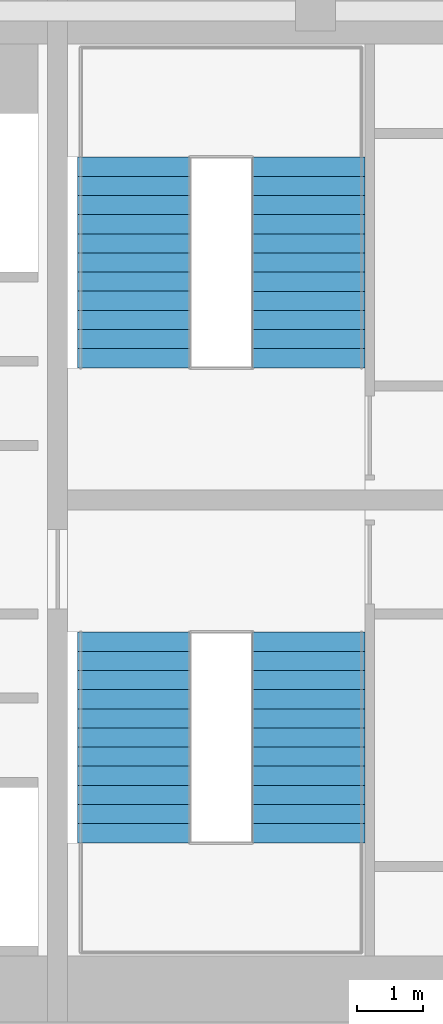
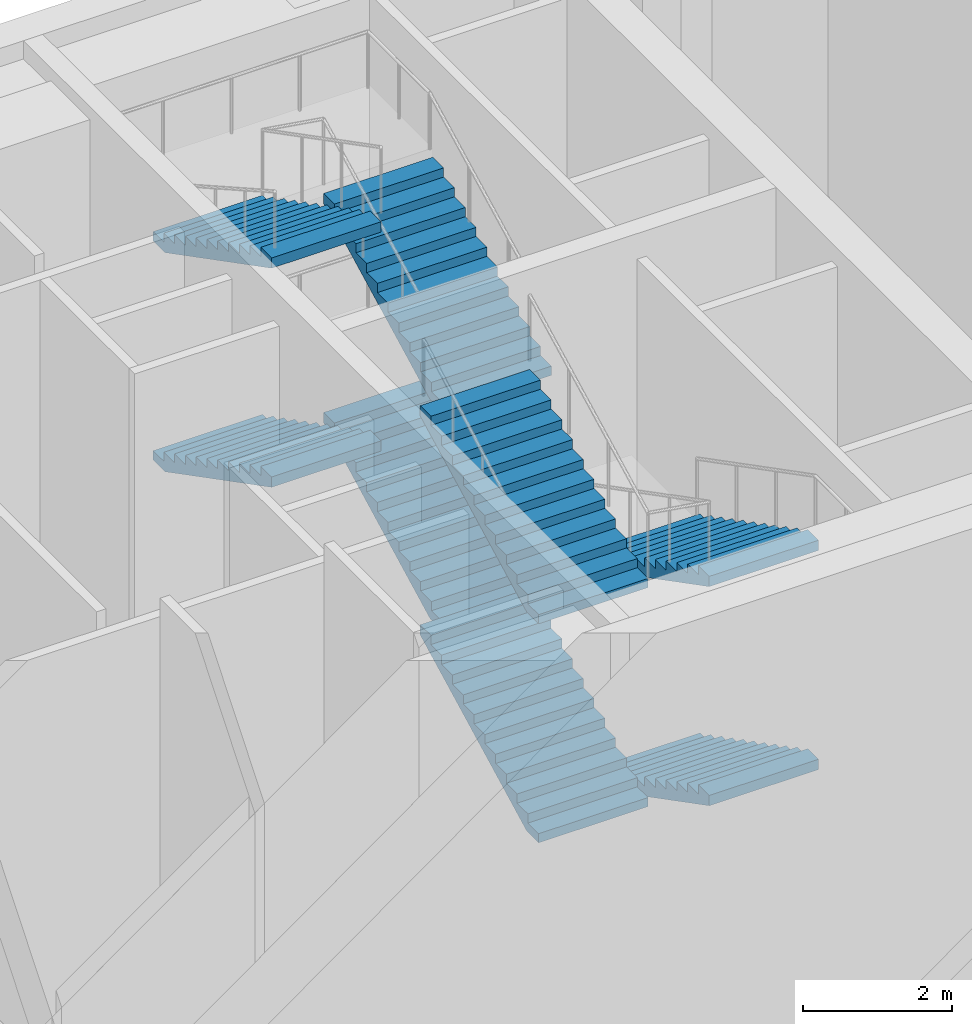
# One storey, part 21 of 23: 8 stair flights, 2 elements without a shape of their own.
"""IFC4 building model written with IfcOpenShell, lengths in metres."""

from ifc_helpers import new_model, si_unit, direction, frame, origin, place, context, subcontext, project, spatial, polyline, outline, extrude, material, type_object, element, aggregate, save


model = new_model("IFC4")

# Units and contexts
model_context = context("Model", 3, precision=1e-05, world=origin(), true_north=direction((0.0, 1.0)))
body_context = subcontext(model_context, "Body", "Model", "MODEL_VIEW")
ifc_project = project(units=[si_unit("LENGTHUNIT", "METRE"), si_unit("AREAUNIT", "SQUARE_METRE"), si_unit("VOLUMEUNIT", "CUBIC_METRE"), si_unit("PLANEANGLEUNIT", "RADIAN"), si_unit("MASSUNIT", "GRAM", prefix="KILO")], contexts=[model_context])

# Site, building, storey
site_placement = place(None, origin())
site = spatial("IfcSite", under=ifc_project, at=site_placement, CompositionType="ELEMENT")
building_placement = place(site_placement, origin())
building = spatial("IfcBuilding", under=site, at=building_placement, Name="Marenta Gate Hotel Tower", CompositionType="ELEMENT")
storey_placement = place(building_placement, frame((0.0, 0.0, 288.5)))
storey = spatial("IfcBuildingStorey", under=building, at=storey_placement, Name="L66", CompositionType="ELEMENT", Elevation=288.5)

# Stair, stair flights
ifc_material_1 = material(Name="Concrete C40", Category="concrete")
stair_type = type_object("IfcStairType", Name="Core exit stair 1700 wide", PredefinedType="HALF_TURN_STAIR", material=ifc_material_1)
stair_1_placement = place(storey_placement, origin())
stair_1 = element("IfcStair", 1, at=stair_1_placement, inside=storey, type_object=stair_type, Name="Exit stair 3", PredefinedType="HALF_TURN_STAIR")
ifc_material_2 = material(Name="Concrete C40", Category="concrete")
stair_flight_type = type_object("IfcStairFlightType", Name="Core stair flight 1700 riser 150.0 going 290", PredefinedType="STRAIGHT", material=ifc_material_2)
stair_flight_1_placement = place(storey_placement, frame((8.0, 6.39990234375, 0.0), z_axis=(0.0, 0.0, 1.0), x_axis=(0.0, -1.0, 0.0)))
stair_flight_1 = element("IfcStairFlight", 2, at=stair_flight_1_placement, type_object=stair_flight_type, Name="ST3 flight 1", NumberOfRisers=12, NumberOfTreads=11, PredefinedType="STRAIGHT", RiserHeight=0.15, TreadLength=0.29, context=body_context, shape_type="SweptSolid", body=[
    extrude(outline(polyline([(0.0, 0.0), (0.0, 0.14990234375), (0.2900390625, 0.14990234375), (0.2900390625, 0.300048828125), (0.580078125, 0.300048828125), (0.580078125, 0.449951171875), (0.8701171875, 0.449951171875), (0.8701171875, 0.60009765625), (1.159912109375, 0.60009765625), (1.159912109375, 0.75), (1.449951171875, 0.75), (1.449951171875, 0.89990234375), (1.739990234375, 0.89990234375), (1.739990234375, 1.050048828125), (2.030029296875, 1.050048828125), (2.030029296875, 1.199951171875), (2.320068359375, 1.199951171875), (2.320068359375, 1.35009765625), (2.610107421875, 1.35009765625), (2.610107421875, 1.5), (2.89990234375, 1.5), (2.89990234375, 1.64990234375), (3.18994140625, 1.64990234375), (3.18994140625, 1.800048828125), (3.18994140625, 1.481201171875), (0.326171875, 0.0), (0.0, 0.0)])), frame((0.0, 0.85009765625, 0.0), z_axis=(0.0, -1.0, 0.0), x_axis=(1.0, 0.0, 0.0)), (0.0, 0.0, 1.0), 1.699951171875),
])
stair_flight_2_placement = place(storey_placement, frame((5.35009765625, 3.2099609375, 1.800048828125), z_axis=(0.0, 0.0, 1.0), x_axis=(0.0, 1.0, 0.0)))
stair_flight_2 = element("IfcStairFlight", 3, at=stair_flight_2_placement, type_object=stair_flight_type, Name="ST3 flight 2", NumberOfRisers=12, NumberOfTreads=11, PredefinedType="STRAIGHT", RiserHeight=0.15, TreadLength=0.29, context=body_context, shape_type="SweptSolid", body=[
    extrude(outline(polyline([(0.0, 0.0), (0.0, 0.14990234375), (0.2900390625, 0.14990234375), (0.2900390625, 0.300048828125), (0.580078125, 0.300048828125), (0.580078125, 0.449951171875), (0.8701171875, 0.449951171875), (0.8701171875, 0.60009765625), (1.159912109375, 0.60009765625), (1.159912109375, 0.75), (1.449951171875, 0.75), (1.449951171875, 0.89990234375), (1.739990234375, 0.89990234375), (1.739990234375, 1.050048828125), (2.030029296875, 1.050048828125), (2.030029296875, 1.199951171875), (2.320068359375, 1.199951171875), (2.320068359375, 1.35009765625), (2.610107421875, 1.35009765625), (2.610107421875, 1.5), (2.89990234375, 1.5), (2.89990234375, 1.64990234375), (3.18994140625, 1.64990234375), (3.18994140625, 1.800048828125), (3.18994140625, 1.481201171875), (0.326171875, 0.0), (0.0, 0.0)])), frame((0.0, 0.85009765625, 0.0), z_axis=(0.0, -1.0, 0.0), x_axis=(1.0, 0.0, 0.0)), (0.0, 0.0, 1.0), 1.699951171875),
])
stair_flight_3_placement = place(storey_placement, frame((8.0, 6.39990234375, 3.60009765625), z_axis=(0.0, 0.0, 1.0), x_axis=(0.0, -1.0, 0.0)))
stair_flight_3 = element("IfcStairFlight", 4, at=stair_flight_3_placement, type_object=stair_flight_type, Name="ST3 flight 3", NumberOfRisers=12, NumberOfTreads=11, PredefinedType="STRAIGHT", RiserHeight=0.15, TreadLength=0.29, context=body_context, shape_type="SweptSolid", body=[
    extrude(outline(polyline([(0.0, 0.0), (0.0, 0.14990234375), (0.2900390625, 0.14990234375), (0.2900390625, 0.300048828125), (0.580078125, 0.300048828125), (0.580078125, 0.449951171875), (0.8701171875, 0.449951171875), (0.8701171875, 0.60009765625), (1.159912109375, 0.60009765625), (1.159912109375, 0.75), (1.449951171875, 0.75), (1.449951171875, 0.89990234375), (1.739990234375, 0.89990234375), (1.739990234375, 1.050048828125), (2.030029296875, 1.050048828125), (2.030029296875, 1.199951171875), (2.320068359375, 1.199951171875), (2.320068359375, 1.35009765625), (2.610107421875, 1.35009765625), (2.610107421875, 1.5), (2.89990234375, 1.5), (2.89990234375, 1.64990234375), (3.18994140625, 1.64990234375), (3.18994140625, 1.800048828125), (3.18994140625, 1.481201171875), (0.326171875, 0.0), (0.0, 0.0)])), frame((0.0, 0.85009765625, 0.0), z_axis=(0.0, -1.0, 0.0), x_axis=(1.0, 0.0, 0.0)), (0.0, 0.0, 1.0), 1.699951171875),
])
stair_flight_4_placement = place(storey_placement, frame((5.35009765625, 3.2099609375, 5.39990234375), z_axis=(0.0, 0.0, 1.0), x_axis=(0.0, 1.0, 0.0)))
stair_flight_4 = element("IfcStairFlight", 5, at=stair_flight_4_placement, type_object=stair_flight_type, Name="ST3 flight 4", NumberOfRisers=12, NumberOfTreads=11, PredefinedType="STRAIGHT", RiserHeight=0.15, TreadLength=0.29, context=body_context, shape_type="SweptSolid", body=[
    extrude(outline(polyline([(0.0, 0.0), (0.0, 0.14990234375), (0.2900390625, 0.14990234375), (0.2900390625, 0.300048828125), (0.580078125, 0.300048828125), (0.580078125, 0.449951171875), (0.8701171875, 0.449951171875), (0.8701171875, 0.60009765625), (1.159912109375, 0.60009765625), (1.159912109375, 0.75), (1.449951171875, 0.75), (1.449951171875, 0.89990234375), (1.739990234375, 0.89990234375), (1.739990234375, 1.050048828125), (2.030029296875, 1.050048828125), (2.030029296875, 1.199951171875), (2.320068359375, 1.199951171875), (2.320068359375, 1.35009765625), (2.610107421875, 1.35009765625), (2.610107421875, 1.5), (2.89990234375, 1.5), (2.89990234375, 1.64990234375), (3.18994140625, 1.64990234375), (3.18994140625, 1.800048828125), (3.18994140625, 1.481201171875), (0.326171875, 0.0), (0.0, 0.0)])), frame((0.0, 0.85009765625, 0.0), z_axis=(0.0, -1.0, 0.0), x_axis=(1.0, 0.0, 0.0)), (0.0, 0.0, 1.0), 1.699951171875),
])
aggregate(stair_1, [stair_flight_1, stair_flight_2, stair_flight_3, stair_flight_4])

stair_2_placement = place(storey_placement, origin())
stair_2 = element("IfcStair", 6, at=stair_2_placement, inside=storey, type_object=stair_type, Name="Exit stair 4", PredefinedType="HALF_TURN_STAIR")
stair_flight_5_placement = place(storey_placement, frame((8.0, 10.39990234375, 0.0), z_axis=(0.0, 0.0, 1.0), x_axis=(0.0, 1.0, 0.0)))
stair_flight_5 = element("IfcStairFlight", 7, at=stair_flight_5_placement, type_object=stair_flight_type, Name="ST4 flight 1", NumberOfRisers=12, NumberOfTreads=11, PredefinedType="STRAIGHT", RiserHeight=0.15, TreadLength=0.29, context=body_context, shape_type="SweptSolid", body=[
    extrude(outline(polyline([(0.0, 0.0), (0.0, 0.14990234375), (0.2900390625, 0.14990234375), (0.2900390625, 0.300048828125), (0.580078125, 0.300048828125), (0.580078125, 0.449951171875), (0.8701171875, 0.449951171875), (0.8701171875, 0.60009765625), (1.159912109375, 0.60009765625), (1.159912109375, 0.75), (1.449951171875, 0.75), (1.449951171875, 0.89990234375), (1.739990234375, 0.89990234375), (1.739990234375, 1.050048828125), (2.030029296875, 1.050048828125), (2.030029296875, 1.199951171875), (2.320068359375, 1.199951171875), (2.320068359375, 1.35009765625), (2.610107421875, 1.35009765625), (2.610107421875, 1.5), (2.89990234375, 1.5), (2.89990234375, 1.64990234375), (3.18994140625, 1.64990234375), (3.18994140625, 1.800048828125), (3.18994140625, 1.481201171875), (0.326171875, 0.0), (0.0, 0.0)])), frame((0.0, 0.85009765625, 0.0), z_axis=(0.0, -1.0, 0.0), x_axis=(1.0, 0.0, 0.0)), (0.0, 0.0, 1.0), 1.699951171875),
])
stair_flight_6_placement = place(storey_placement, frame((5.35009765625, 13.590087890625, 1.800048828125), z_axis=(0.0, 0.0, 1.0), x_axis=(0.0, -1.0, 0.0)))
stair_flight_6 = element("IfcStairFlight", 8, at=stair_flight_6_placement, type_object=stair_flight_type, Name="ST4 flight 2", NumberOfRisers=12, NumberOfTreads=11, PredefinedType="STRAIGHT", RiserHeight=0.15, TreadLength=0.29, context=body_context, shape_type="SweptSolid", body=[
    extrude(outline(polyline([(0.0, 0.0), (0.0, 0.14990234375), (0.2900390625, 0.14990234375), (0.2900390625, 0.300048828125), (0.580078125, 0.300048828125), (0.580078125, 0.449951171875), (0.8701171875, 0.449951171875), (0.8701171875, 0.60009765625), (1.159912109375, 0.60009765625), (1.159912109375, 0.75), (1.449951171875, 0.75), (1.449951171875, 0.89990234375), (1.739990234375, 0.89990234375), (1.739990234375, 1.050048828125), (2.030029296875, 1.050048828125), (2.030029296875, 1.199951171875), (2.320068359375, 1.199951171875), (2.320068359375, 1.35009765625), (2.610107421875, 1.35009765625), (2.610107421875, 1.5), (2.89990234375, 1.5), (2.89990234375, 1.64990234375), (3.18994140625, 1.64990234375), (3.18994140625, 1.800048828125), (3.18994140625, 1.481201171875), (0.326171875, 0.0), (0.0, 0.0)])), frame((0.0, 0.85009765625, 0.0), z_axis=(0.0, -1.0, 0.0), x_axis=(1.0, 0.0, 0.0)), (0.0, 0.0, 1.0), 1.699951171875),
])
stair_flight_7_placement = place(storey_placement, frame((8.0, 10.39990234375, 3.60009765625), z_axis=(0.0, 0.0, 1.0), x_axis=(0.0, 1.0, 0.0)))
stair_flight_7 = element("IfcStairFlight", 9, at=stair_flight_7_placement, type_object=stair_flight_type, Name="ST4 flight 3", NumberOfRisers=12, NumberOfTreads=11, PredefinedType="STRAIGHT", RiserHeight=0.15, TreadLength=0.29, context=body_context, shape_type="SweptSolid", body=[
    extrude(outline(polyline([(0.0, 0.0), (0.0, 0.14990234375), (0.2900390625, 0.14990234375), (0.2900390625, 0.300048828125), (0.580078125, 0.300048828125), (0.580078125, 0.449951171875), (0.8701171875, 0.449951171875), (0.8701171875, 0.60009765625), (1.159912109375, 0.60009765625), (1.159912109375, 0.75), (1.449951171875, 0.75), (1.449951171875, 0.89990234375), (1.739990234375, 0.89990234375), (1.739990234375, 1.050048828125), (2.030029296875, 1.050048828125), (2.030029296875, 1.199951171875), (2.320068359375, 1.199951171875), (2.320068359375, 1.35009765625), (2.610107421875, 1.35009765625), (2.610107421875, 1.5), (2.89990234375, 1.5), (2.89990234375, 1.64990234375), (3.18994140625, 1.64990234375), (3.18994140625, 1.800048828125), (3.18994140625, 1.481201171875), (0.326171875, 0.0), (0.0, 0.0)])), frame((0.0, 0.85009765625, 0.0), z_axis=(0.0, -1.0, 0.0), x_axis=(1.0, 0.0, 0.0)), (0.0, 0.0, 1.0), 1.699951171875),
])
stair_flight_8_placement = place(storey_placement, frame((5.35009765625, 13.590087890625, 5.39990234375), z_axis=(0.0, 0.0, 1.0), x_axis=(0.0, -1.0, 0.0)))
stair_flight_8 = element("IfcStairFlight", 10, at=stair_flight_8_placement, type_object=stair_flight_type, Name="ST4 flight 4", NumberOfRisers=12, NumberOfTreads=11, PredefinedType="STRAIGHT", RiserHeight=0.15, TreadLength=0.29, context=body_context, shape_type="SweptSolid", body=[
    extrude(outline(polyline([(0.0, 0.0), (0.0, 0.14990234375), (0.2900390625, 0.14990234375), (0.2900390625, 0.300048828125), (0.580078125, 0.300048828125), (0.580078125, 0.449951171875), (0.8701171875, 0.449951171875), (0.8701171875, 0.60009765625), (1.159912109375, 0.60009765625), (1.159912109375, 0.75), (1.449951171875, 0.75), (1.449951171875, 0.89990234375), (1.739990234375, 0.89990234375), (1.739990234375, 1.050048828125), (2.030029296875, 1.050048828125), (2.030029296875, 1.199951171875), (2.320068359375, 1.199951171875), (2.320068359375, 1.35009765625), (2.610107421875, 1.35009765625), (2.610107421875, 1.5), (2.89990234375, 1.5), (2.89990234375, 1.64990234375), (3.18994140625, 1.64990234375), (3.18994140625, 1.800048828125), (3.18994140625, 1.481201171875), (0.326171875, 0.0), (0.0, 0.0)])), frame((0.0, 0.85009765625, 0.0), z_axis=(0.0, -1.0, 0.0), x_axis=(1.0, 0.0, 0.0)), (0.0, 0.0, 1.0), 1.699951171875),
])
aggregate(stair_2, [stair_flight_5, stair_flight_6, stair_flight_7, stair_flight_8])

save(model, "model.ifc")
